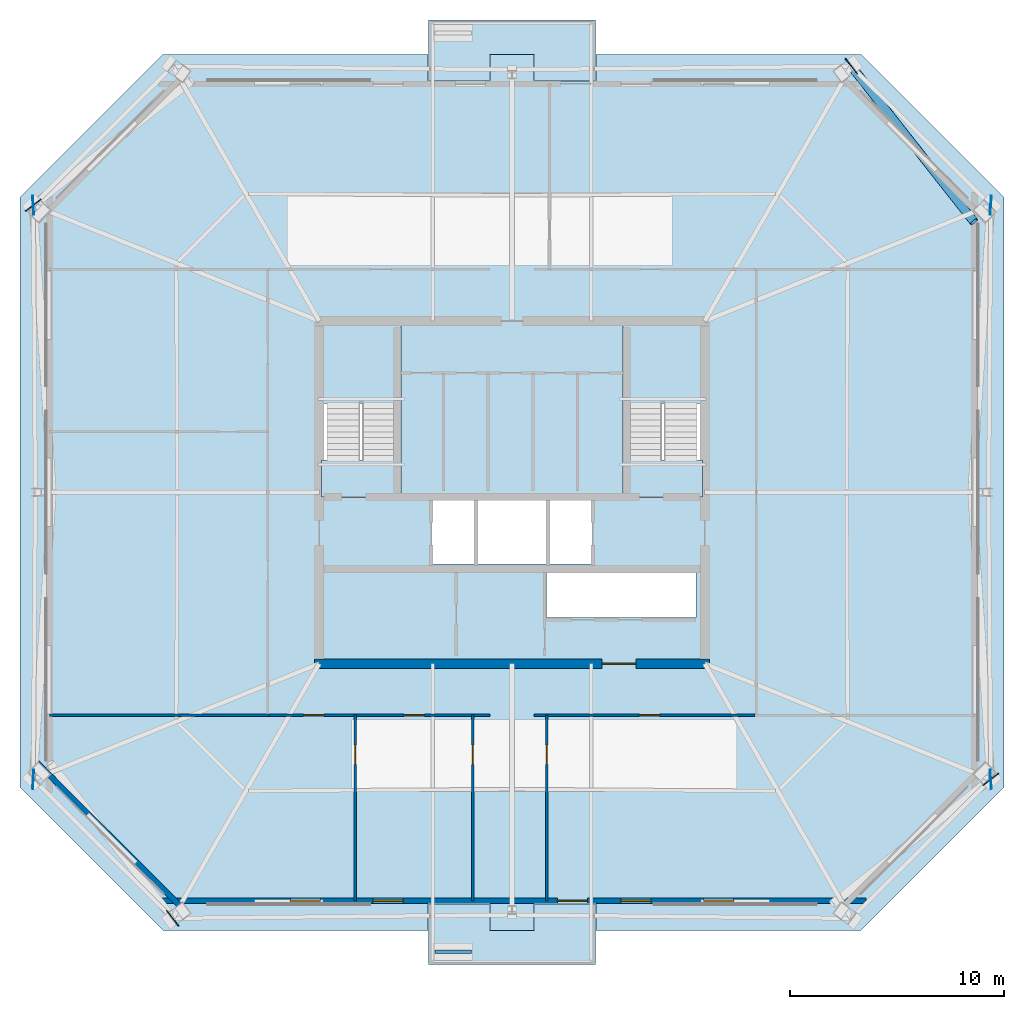
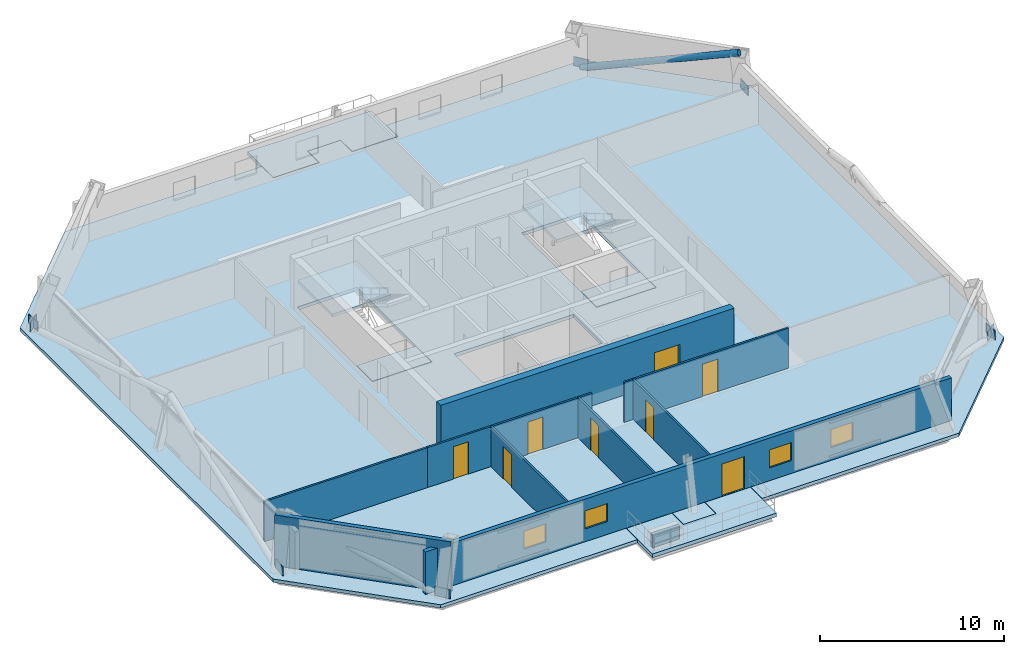
# One storey, part 2 of 6: 10 walls, 8 doors, 8 plates, 7 slabs, 4 windows, 1 member, 12 openings, 2 elements without a shape of their own.
"""IFC4 building model written with IfcOpenShell, lengths in metres."""

from ifc_helpers import new_model, si_unit, direction, frame, frame_2d, origin, origin_2d, place, context, subcontext, project, spatial, polyline, rectangle, hollow_circle, outline, extrude, material, layer, layer_set, material_profile, profile_set, type_object, element, fill, aggregate, save


model = new_model("IFC4")

# Units and contexts
model_context = context("Model", 3, precision=1e-05, world=origin(), true_north=direction((0.0, 1.0)))
body_context = subcontext(model_context, "Body", "Model", "MODEL_VIEW")
ifc_project = project(units=[si_unit("LENGTHUNIT", "METRE"), si_unit("AREAUNIT", "SQUARE_METRE"), si_unit("VOLUMEUNIT", "CUBIC_METRE"), si_unit("PLANEANGLEUNIT", "RADIAN"), si_unit("MASSUNIT", "GRAM", prefix="KILO")], contexts=[model_context])

# Site, building, storey
site_placement = place(None, origin())
site = spatial("IfcSite", under=ifc_project, at=site_placement, CompositionType="ELEMENT")
building_placement = place(site_placement, origin())
building = spatial("IfcBuilding", under=site, at=building_placement, Name="Caelvoria Tower", CompositionType="ELEMENT")
storey_placement = place(building_placement, frame((0.0, 0.0, 195.0)))
storey = spatial("IfcBuildingStorey", under=building, at=storey_placement, Name="L51", CompositionType="ELEMENT", Elevation=195.0)

# Member
ifc_material_1 = material(Name="Structural Steel ASTM A572 Gr.50", Category="steel")
ifc_material_profile = material_profile(ifc_material_1, hollow_circle(Radius=0.202880859375, WallThickness=0.01611328125, at=origin_2d()), Name="Structural Steel ASTM A572 Gr.50")
ifc_profile_set = profile_set([ifc_material_profile], Name="CHS406X16 - Structural Steel ASTM A572 Gr.50")
member_type = type_object("IfcMemberType", Name="Upper Perimeter Mega Brace CHS406X16", PredefinedType="BRACE", material=ifc_profile_set)
member_placement = place(storey_placement, frame((61.851318359375, 51.89697265625, 0.0), z_axis=(0.581785928912, -0.737555459562, 0.342836808103), x_axis=(0.785138815448, 0.619319820834, 0.0)))
element("IfcMember", 1, at=member_placement, inside=storey, type_object=member_type, Name="Perimeter Chamfer Mega Brace L51 NE", PredefinedType="BRACE", context=body_context, shape_type="SweptSolid", body=[
    extrude(hollow_circle(Radius=0.202880859375, WallThickness=0.01611328125, at=origin_2d()), origin(), (0.0, 0.0, 1.0), 9.84423828125),
])

# Plates
ifc_layer_1 = layer(ifc_material_1, 0.0400390625, Name="Structural Steel ASTM A572 Gr.50")
ifc_layer_set_1 = layer_set([ifc_layer_1], Name="Megaframe Node Gusset Plate 900x600x40 - Structural Steel ASTM A572 Gr.50")
plate_type = type_object("IfcPlateType", Name="Megaframe Node Gusset Plate 900x600x40", PredefinedType="USERDEFINED", material=ifc_layer_set_1)
for number, where, z_axis, x_axis, name in (
    (2, (68.362548828125, 18.59033203125, 0.02001953125), (0.0, 0.0, 1.0), (-0.786102917336, -0.618095626385, 0.0), "Chamfer Mega Brace Gusset L51 SE"),
    (3, (61.851318359375, 51.89697265625, 0.02001953125), (0.0, 0.0, 1.0), (0.619322819323, -0.785136450221, 0.0), "Chamfer Mega Brace Gusset L51 NE"),
    (4, (23.637451171875, 45.40966796875, 0.02001953125), (0.0, 0.0, 1.0), (0.786102917336, 0.618095626385, 0.0), "Chamfer Mega Brace Gusset L51 NW"),
    (5, (30.148681640625, 12.10302734375, 0.02001953125), (0.0, 0.0, 1.0), (-0.619322819323, 0.785136450221, 0.0), "Chamfer Mega Brace Gusset L51 SW"),
    (6, (68.362548828125, 18.59033203125, 0.050048828125), (0.0, 0.0, 1.0), (-0.065667848965, 0.997841537326, 0.0), "Megaframe Node Gusset Plate ND-04"),
    (7, (68.362548828125, 45.40966796875, 0.050048828125), (0.0, 0.0, 1.0), (-0.065667848965, -0.997841537326, 0.0), "Megaframe Node Gusset Plate ND-04"),
    (8, (23.637451171875, 45.40966796875, 0.050048828125), (0.0, 0.0, 1.0), (0.065667848965, -0.997841537326, 0.0), "Megaframe Node Gusset Plate ND-04"),
    (9, (23.637451171875, 18.59033203125, 0.050048828125), (0.0, 0.0, 1.0), (0.065667848965, 0.997841537326, 0.0), "Megaframe Node Gusset Plate ND-04"),
):
    element("IfcPlate", number, at=place(storey_placement, frame(where, z_axis=z_axis, x_axis=x_axis)), inside=storey, type_object=plate_type, Name=name, ObjectType="GUSSET_PLATE", PredefinedType="USERDEFINED", context=body_context, shape_type="SweptSolid", body=[
        extrude(rectangle(XDim=0.89990234375, YDim=0.0400390625, at=origin_2d()), origin(), (0.0, 0.0, 1.0), 0.60009765625),
    ])

# Stair, slabs
ifc_material_2 = material(Name="Concrete C40/50", Category="concrete")
stair_type = type_object("IfcStairType", Name="Core Smokeproof Dogleg Stair Concrete C40/50", PredefinedType="HALF_TURN_STAIR", material=ifc_material_2)
stair_1_placement = place(storey_placement, origin())
stair_1 = element("IfcStair", 10, at=stair_1_placement, inside=storey, type_object=stair_type, Name="ST-01 Smokeproof Exit Stair L51", PredefinedType="HALF_TURN_STAIR")
ifc_layer_2 = layer(ifc_material_2, 0.199951171875, Name="Concrete C40/50")
ifc_layer_set_2 = layer_set([ifc_layer_2], Name="Stair Half and Floor Landing Slab 200 Concrete C40/50 - Concrete C40/50")
slab_type_1 = type_object("IfcSlabType", Name="Stair Half and Floor Landing Slab 200 Concrete C40/50", PredefinedType="LANDING", material=ifc_layer_set_2)
slab_1_placement = place(storey_placement, frame((0.0, 0.0, -0.199951171875)))
slab_1 = element("IfcSlab", 11, at=slab_1_placement, type_object=slab_type_1, Name="ST-01 landing 1", PredefinedType="LANDING", context=body_context, shape_type="SweptSolid", body=[
    extrude(outline(polyline([(37.10009765625, 31.77001953125), (40.800048828125, 31.77001953125), (40.800048828125, 33.5), (37.10009765625, 33.5), (37.10009765625, 31.77001953125)])), origin(), (0.0, 0.0, 1.0), 0.199951171875),
])
slab_2_placement = place(storey_placement, frame((0.0, 0.0, 1.60009765625)))
slab_2 = element("IfcSlab", 12, at=slab_2_placement, type_object=slab_type_1, Name="ST-01 landing 2", PredefinedType="LANDING", context=body_context, shape_type="SweptSolid", body=[
    extrude(outline(polyline([(37.10009765625, 36.14990234375), (40.800048828125, 36.14990234375), (40.800048828125, 39.89990234375), (37.10009765625, 39.89990234375), (37.10009765625, 36.14990234375)])), origin(), (0.0, 0.0, 1.0), 0.199951171875),
])
aggregate(stair_1, [slab_1, slab_2])

stair_2_placement = place(storey_placement, origin())
stair_2 = element("IfcStair", 13, at=stair_2_placement, inside=storey, type_object=stair_type, Name="ST-02 Smokeproof Exit Stair L51", PredefinedType="HALF_TURN_STAIR")
slab_3_placement = place(storey_placement, frame((0.0, 0.0, -0.199951171875)))
slab_3 = element("IfcSlab", 14, at=slab_3_placement, type_object=slab_type_1, Name="ST-02 landing 1", PredefinedType="LANDING", context=body_context, shape_type="SweptSolid", body=[
    extrude(outline(polyline([(51.199951171875, 31.77001953125), (54.89990234375, 31.77001953125), (54.89990234375, 33.5), (51.199951171875, 33.5), (51.199951171875, 31.77001953125)])), origin(), (0.0, 0.0, 1.0), 0.199951171875),
])
slab_4_placement = place(storey_placement, frame((0.0, 0.0, 1.60009765625)))
slab_4 = element("IfcSlab", 15, at=slab_4_placement, type_object=slab_type_1, Name="ST-02 landing 2", PredefinedType="LANDING", context=body_context, shape_type="SweptSolid", body=[
    extrude(outline(polyline([(51.199951171875, 36.14990234375), (54.89990234375, 36.14990234375), (54.89990234375, 39.89990234375), (51.199951171875, 39.89990234375), (51.199951171875, 36.14990234375)])), origin(), (0.0, 0.0, 1.0), 0.199951171875),
])
aggregate(stair_2, [slab_3, slab_4])

# Slabs
ifc_material_3 = material(Name="Concrete C45/55", Category="concrete")
ifc_layer_3 = layer(ifc_material_3, 0.25, Name="Concrete C45/55")
ifc_layer_set_3 = layer_set([ifc_layer_3], Name="Tree Balcony Structural Planter Slab 250 - Concrete C45/55")
slab_type_2 = type_object("IfcSlabType", Name="Tree Balcony Structural Planter Slab 250", PredefinedType="FLOOR", material=ifc_layer_set_3)
slab_5_placement = place(storey_placement, frame((0.0, 0.0, -0.25)))
element("IfcSlab", 16, at=slab_5_placement, inside=storey, type_object=slab_type_2, Name="Tree Balcony Slab TB-L51-S", PredefinedType="FLOOR", context=body_context, shape_type="SweptSolid", body=[
    extrude(outline(polyline([(49.89990234375, 11.5400390625), (49.89990234375, 12.780029296875), (47.0400390625, 12.780029296875), (47.0400390625, 11.5400390625), (44.9599609375, 11.5400390625), (44.9599609375, 12.780029296875), (42.10009765625, 12.780029296875), (42.10009765625, 11.5400390625), (42.10009765625, 9.93994140625), (49.89990234375, 9.93994140625), (49.89990234375, 11.5400390625)])), origin(), (0.0, 0.0, 1.0), 0.25),
])
slab_6_placement = place(storey_placement, frame((0.0, 0.0, -0.25)))
element("IfcSlab", 17, at=slab_6_placement, inside=storey, type_object=slab_type_2, Name="Tree Balcony Slab TB-L51-N", PredefinedType="FLOOR", context=body_context, shape_type="SweptSolid", body=[
    extrude(outline(polyline([(42.10009765625, 54.06005859375), (42.10009765625, 52.4599609375), (42.10009765625, 51.219970703125), (44.9599609375, 51.219970703125), (44.9599609375, 52.4599609375), (47.0400390625, 52.4599609375), (47.0400390625, 51.219970703125), (49.89990234375, 51.219970703125), (49.89990234375, 52.4599609375), (49.89990234375, 54.06005859375), (42.10009765625, 54.06005859375)])), origin(), (0.0, 0.0, 1.0), 0.25),
])
ifc_layer_4 = layer(ifc_material_2, 0.22509765625, Name="Concrete C40/50")
ifc_layer_set_4 = layer_set([ifc_layer_4], Name="Upper Tower Composite Office Slab 225 - Concrete C40/50")
slab_type_3 = type_object("IfcSlabType", Name="Upper Tower Composite Office Slab 225", PredefinedType="FLOOR", material=ifc_layer_set_4)
slab_7_placement = place(storey_placement, frame((0.0, 0.0, -0.22509765625)))
element("IfcSlab", 18, at=slab_7_placement, inside=storey, type_object=slab_type_3, Name="Level L51 Structural Floor Slab", PredefinedType="FLOOR", context=body_context, shape_type="SweptSolid", body=[
    extrude(outline(polyline([(23.02001953125, 45.780029296875), (23.02001953125, 18.219970703125), (29.699951171875, 11.5400390625), (42.080078125, 11.5400390625), (42.080078125, 12.800048828125), (44.97998046875, 12.800048828125), (44.97998046875, 11.5400390625), (47.02001953125, 11.5400390625), (47.02001953125, 12.800048828125), (49.919921875, 12.800048828125), (49.919921875, 11.5400390625), (62.300048828125, 11.5400390625), (68.97998046875, 18.219970703125), (68.97998046875, 45.780029296875), (62.300048828125, 52.4599609375), (49.919921875, 52.4599609375), (49.919921875, 51.199951171875), (47.02001953125, 51.199951171875), (47.02001953125, 52.4599609375), (44.97998046875, 52.4599609375), (44.97998046875, 51.199951171875), (42.080078125, 51.199951171875), (42.080078125, 52.4599609375), (29.699951171875, 52.4599609375), (23.02001953125, 45.780029296875)]), holes=[polyline([(37.080078125, 31.75), (40.820068359375, 31.75), (40.820068359375, 39.919921875), (37.080078125, 39.919921875), (37.080078125, 31.75)]), polyline([(51.179931640625, 31.75), (54.919921875, 31.75), (54.919921875, 39.919921875), (51.179931640625, 39.919921875), (51.179931640625, 31.75)]), polyline([(42.25, 28.64990234375), (49.75, 28.64990234375), (49.75, 31.800048828125), (42.25, 31.800048828125), (42.25, 28.64990234375)]), polyline([(47.60009765625, 26.14990234375), (54.60009765625, 26.14990234375), (54.60009765625, 28.25), (47.60009765625, 28.25), (47.60009765625, 26.14990234375)])]), origin(), (0.0, 0.0, 1.0), 0.22509765625),
])

# Wall
ifc_material_4 = material(Name="Bronze-Clad Concrete C40/50", Category="concrete")
ifc_layer_5 = layer(ifc_material_4, 0.179931640625, Name="Bronze-Clad Concrete C40/50")
ifc_layer_set_5 = layer_set([ifc_layer_5], Name="Architectural Planter Kerb Wall 180 - Bronze-Clad Concrete C40/50")
wall_type_1 = type_object("IfcWallType", Name="Architectural Planter Kerb Wall 180", PredefinedType="PARAPET", material=ifc_layer_set_5)
wall_1_placement = place(storey_placement, frame((42.39990234375, 10.5400390625, 0.0), z_axis=(0.0, 0.0, 1.0), x_axis=(1.0, 0.0, 0.0)))
element("IfcWall", 19, at=wall_1_placement, inside=storey, type_object=wall_type_1, Name="Tree Balcony Planter Kerb PLANTER TB-L51-S", PredefinedType="PARAPET", context=body_context, shape_type="SweptSolid", body=[
    extrude(rectangle(XDim=1.7001953125, YDim=0.179931640625, at=frame_2d((0.85009765625, 0.0))), origin(), (0.0, 0.0, 1.0), 0.8798828125),
])

# Wall, opening, door
ifc_material_5 = material(Name="Acoustic Gypsum Board on Light-Gauge Stud", Category="gypsum")
ifc_layer_6 = layer(ifc_material_5, 0.1201171875, Name="Acoustic Gypsum Board on Light-Gauge Stud")
ifc_layer_set_6 = layer_set([ifc_layer_6], Name="Tenant Suite Acoustic Partition Wall 120 - Acoustic Gypsum Board on Light-Gauge Stud")
wall_type_2 = type_object("IfcWallType", Name="Tenant Suite Acoustic Partition Wall 120", PredefinedType="PARTITIONING", material=ifc_layer_set_6)
wall_2_placement = place(storey_placement, frame((38.687255859375, 21.590087890625, 0.0), z_axis=(0.0, 0.0, 1.0), x_axis=(0.0, -1.0, 0.0)))
wall_2 = element("IfcWall", 20, at=wall_2_placement, inside=storey, type_object=wall_type_2, Name="Interior Partition IW-L51-SD-00-0", PredefinedType="PARTITIONING", context=body_context, shape_type="SweptSolid", body=[
    extrude(rectangle(XDim=8.670166015625, YDim=0.1201171875, at=frame_2d((4.3349609375, 0.0))), origin(), (0.0, 0.0, 1.0), 2.655029296875),
])
opening_1_placement = place(wall_2_placement, frame((1.39990234375, 0.0, 0.0)))
opening_1 = element("IfcOpeningElement", 21, at=opening_1_placement, cuts=wall_2, Name="Opening ID-06", PredefinedType="OPENING", context=body_context, shape_type="SweptSolid", body=[
    extrude(rectangle(XDim=0.89990234375, YDim=2.14990234375, at=frame_2d((0.449951171875, 1.074951171875))), frame((0.0, 0.070068359375, 0.0), z_axis=(0.0, -1.0, 0.0), x_axis=(1.0, 0.0, 0.0)), (0.0, 0.0, 1.0), 0.14013671875),
])
ifc_material_6 = material(Name="Engineered Andean Oak Veneer Door", Category="wood")
door_type_1 = type_object("IfcDoorType", Name="Interior Timber Door 900x2150", OperationType="NOTDEFINED", PredefinedType="DOOR", material=ifc_material_6)
door_1_placement = place(opening_1_placement, origin())
door_1 = element("IfcDoor", 22, at=door_1_placement, inside=storey, type_object=door_type_1, Name="Interior Door DR-L51-SM-00-0", OperationType="SINGLE_SWING_RIGHT", OverallHeight=2.14990234375, OverallWidth=0.89990234375, PredefinedType="DOOR", context=body_context, shape_type="SweptSolid", body=[
    extrude(rectangle(XDim=0.89990234375, YDim=2.14990234375, at=frame_2d((0.449951171875, 1.074951171875))), frame((0.0, 0.02490234375, 0.0), z_axis=(0.0, -1.0, 0.0), x_axis=(1.0, 0.0, 0.0)), (0.0, 0.0, 1.0), 0.050048828125),
])
fill(opening_1, door_1)

wall_3_placement = place(storey_placement, frame((44.17578125, 21.590087890625, 0.0), z_axis=(0.0, 0.0, 1.0), x_axis=(0.0, -1.0, 0.0)))
wall_3 = element("IfcWall", 23, at=wall_3_placement, inside=storey, type_object=wall_type_2, Name="Interior Partition IW-L51-SD-01-0", PredefinedType="PARTITIONING", context=body_context, shape_type="SweptSolid", body=[
    extrude(rectangle(XDim=8.670166015625, YDim=0.1201171875, at=frame_2d((4.3349609375, 0.0))), origin(), (0.0, 0.0, 1.0), 2.655029296875),
])
opening_2_placement = place(wall_3_placement, frame((1.39990234375, 0.0, 0.0)))
opening_2 = element("IfcOpeningElement", 24, at=opening_2_placement, cuts=wall_3, Name="Opening ID-06", PredefinedType="OPENING", context=body_context, shape_type="SweptSolid", body=[
    extrude(rectangle(XDim=0.89990234375, YDim=2.14990234375, at=frame_2d((0.449951171875, 1.074951171875))), frame((0.0, 0.070068359375, 0.0), z_axis=(0.0, -1.0, 0.0), x_axis=(1.0, 0.0, 0.0)), (0.0, 0.0, 1.0), 0.14013671875),
])
door_2_placement = place(opening_2_placement, origin())
door_2 = element("IfcDoor", 25, at=door_2_placement, inside=storey, type_object=door_type_1, Name="Interior Door DR-L51-SM-01-0", OperationType="SINGLE_SWING_LEFT", OverallHeight=2.14990234375, OverallWidth=0.89990234375, PredefinedType="DOOR", context=body_context, shape_type="SweptSolid", body=[
    extrude(rectangle(XDim=0.89990234375, YDim=2.14990234375, at=frame_2d((0.449951171875, 1.074951171875))), frame((0.0, 0.02490234375, 0.0), z_axis=(0.0, -1.0, 0.0), x_axis=(1.0, 0.0, 0.0)), (0.0, 0.0, 1.0), 0.050048828125),
])
fill(opening_2, door_2)

wall_4_placement = place(storey_placement, frame((47.628662109375, 21.590087890625, 0.0), z_axis=(0.0, 0.0, 1.0), x_axis=(0.0, -1.0, 0.0)))
wall_4 = element("IfcWall", 26, at=wall_4_placement, inside=storey, type_object=wall_type_2, Name="Interior Partition IW-L51-SD-02-0", PredefinedType="PARTITIONING", context=body_context, shape_type="SweptSolid", body=[
    extrude(rectangle(XDim=8.670166015625, YDim=0.1201171875, at=frame_2d((4.3349609375, 0.0))), origin(), (0.0, 0.0, 1.0), 2.655029296875),
])
opening_3_placement = place(wall_4_placement, frame((1.39990234375, 0.0, 0.0)))
opening_3 = element("IfcOpeningElement", 27, at=opening_3_placement, cuts=wall_4, Name="Opening ID-06", PredefinedType="OPENING", context=body_context, shape_type="SweptSolid", body=[
    extrude(rectangle(XDim=0.89990234375, YDim=2.14990234375, at=frame_2d((0.449951171875, 1.074951171875))), frame((0.0, 0.070068359375, 0.0), z_axis=(0.0, -1.0, 0.0), x_axis=(1.0, 0.0, 0.0)), (0.0, 0.0, 1.0), 0.14013671875),
])
door_3_placement = place(opening_3_placement, origin())
door_3 = element("IfcDoor", 28, at=door_3_placement, inside=storey, type_object=door_type_1, Name="Interior Door DR-L51-SM-02-0", OperationType="SINGLE_SWING_RIGHT", OverallHeight=2.14990234375, OverallWidth=0.89990234375, PredefinedType="DOOR", context=body_context, shape_type="SweptSolid", body=[
    extrude(rectangle(XDim=0.89990234375, YDim=2.14990234375, at=frame_2d((0.449951171875, 1.074951171875))), frame((0.0, 0.02490234375, 0.0), z_axis=(0.0, -1.0, 0.0), x_axis=(1.0, 0.0, 0.0)), (0.0, 0.0, 1.0), 0.050048828125),
])
fill(opening_3, door_3)

# Wall, openings, doors
wall_5_placement = place(storey_placement, frame((34.64990234375, 21.590087890625, 0.0), z_axis=(0.0, 0.0, 1.0), x_axis=(1.0, 0.0, 0.0)))
wall_5 = element("IfcWall", 29, at=wall_5_placement, inside=storey, type_object=wall_type_2, Name="Interior Partition IW-L51-SCW-0", PredefinedType="PARTITIONING", context=body_context, shape_type="SweptSolid", body=[
    extrude(rectangle(XDim=10.330078125, YDim=0.1201171875, at=frame_2d((5.1650390625, 0.0))), origin(), (0.0, 0.0, 1.0), 2.655029296875),
])
opening_4_placement = place(wall_5_placement, frame((1.613525390625, 0.0, 0.0)))
opening_4 = element("IfcOpeningElement", 30, at=opening_4_placement, cuts=wall_5, Name="Opening ID-05", PredefinedType="OPENING", context=body_context, shape_type="SweptSolid", body=[
    extrude(rectangle(XDim=0.949951171875, YDim=2.14990234375, at=frame_2d((0.47509765625, 1.074951171875))), frame((0.0, 0.070068359375, 0.0), z_axis=(0.0, -1.0, 0.0), x_axis=(1.0, 0.0, 0.0)), (0.0, 0.0, 1.0), 0.14013671875),
])
opening_5_placement = place(wall_5_placement, frame((6.306396484375, 0.0, 0.0)))
opening_5 = element("IfcOpeningElement", 31, at=opening_5_placement, cuts=wall_5, Name="Opening ID-05", PredefinedType="OPENING", context=body_context, shape_type="SweptSolid", body=[
    extrude(rectangle(XDim=0.949951171875, YDim=2.14990234375, at=frame_2d((0.47509765625, 1.074951171875))), frame((0.0, 0.070068359375, 0.0), z_axis=(0.0, -1.0, 0.0), x_axis=(1.0, 0.0, 0.0)), (0.0, 0.0, 1.0), 0.14013671875),
])
door_type_2 = type_object("IfcDoorType", Name="Interior Timber Door 950x2150", OperationType="NOTDEFINED", PredefinedType="DOOR", material=ifc_material_6)
door_4_placement = place(opening_4_placement, origin())
door_4 = element("IfcDoor", 32, at=door_4_placement, inside=storey, type_object=door_type_2, Name="Interior Door DR-L51-SC-00-0", OperationType="SINGLE_SWING_RIGHT", OverallHeight=2.14990234375, OverallWidth=0.949951171875, PredefinedType="DOOR", context=body_context, shape_type="SweptSolid", body=[
    extrude(rectangle(XDim=0.949951171875, YDim=2.14990234375, at=frame_2d((0.47509765625, 1.074951171875))), frame((0.0, 0.02490234375, 0.0), z_axis=(0.0, -1.0, 0.0), x_axis=(1.0, 0.0, 0.0)), (0.0, 0.0, 1.0), 0.050048828125),
])
fill(opening_4, door_4)
door_5_placement = place(opening_5_placement, origin())
door_5 = element("IfcDoor", 33, at=door_5_placement, inside=storey, type_object=door_type_2, Name="Interior Door DR-L51-SC-01-0", OperationType="SINGLE_SWING_LEFT", OverallHeight=2.14990234375, OverallWidth=0.949951171875, PredefinedType="DOOR", context=body_context, shape_type="SweptSolid", body=[
    extrude(rectangle(XDim=0.949951171875, YDim=2.14990234375, at=frame_2d((0.47509765625, 1.074951171875))), frame((0.0, 0.02490234375, 0.0), z_axis=(0.0, -1.0, 0.0), x_axis=(1.0, 0.0, 0.0)), (0.0, 0.0, 1.0), 0.050048828125),
])
fill(opening_5, door_5)

# Wall, opening, door
wall_6_placement = place(storey_placement, frame((47.02001953125, 21.590087890625, 0.0), z_axis=(0.0, 0.0, 1.0), x_axis=(1.0, 0.0, 0.0)))
wall_6 = element("IfcWall", 34, at=wall_6_placement, inside=storey, type_object=wall_type_2, Name="Interior Partition IW-L51-SCW-1", PredefinedType="PARTITIONING", context=body_context, shape_type="SweptSolid", body=[
    extrude(rectangle(XDim=10.330078125, YDim=0.1201171875, at=frame_2d((5.1650390625, 0.0))), origin(), (0.0, 0.0, 1.0), 2.655029296875),
])
opening_6_placement = place(wall_6_placement, frame((4.92431640625, 0.0, 0.0)))
opening_6 = element("IfcOpeningElement", 35, at=opening_6_placement, cuts=wall_6, Name="Opening ID-05", PredefinedType="OPENING", context=body_context, shape_type="SweptSolid", body=[
    extrude(rectangle(XDim=0.949951171875, YDim=2.14990234375, at=frame_2d((0.47509765625, 1.074951171875))), frame((0.0, 0.070068359375, 0.0), z_axis=(0.0, -1.0, 0.0), x_axis=(1.0, 0.0, 0.0)), (0.0, 0.0, 1.0), 0.14013671875),
])
door_6_placement = place(opening_6_placement, origin())
door_6 = element("IfcDoor", 36, at=door_6_placement, inside=storey, type_object=door_type_2, Name="Interior Door DR-L51-SC-03-0", OperationType="SINGLE_SWING_LEFT", OverallHeight=2.14990234375, OverallWidth=0.949951171875, PredefinedType="DOOR", context=body_context, shape_type="SweptSolid", body=[
    extrude(rectangle(XDim=0.949951171875, YDim=2.14990234375, at=frame_2d((0.47509765625, 1.074951171875))), frame((0.0, 0.02490234375, 0.0), z_axis=(0.0, -1.0, 0.0), x_axis=(1.0, 0.0, 0.0)), (0.0, 0.0, 1.0), 0.050048828125),
])
fill(opening_6, door_6)

# Wall
wall_7_placement = place(storey_placement, frame((34.64990234375, 21.590087890625, 0.0), z_axis=(0.0, 0.0, 1.0), x_axis=(-1.0, 0.0, 0.0)))
element("IfcWall", 37, at=wall_7_placement, inside=storey, type_object=wall_type_2, Name="Interior Partition IW-L51-BSW-0", PredefinedType="PARTITIONING", context=body_context, shape_type="SweptSolid", body=[
    extrude(rectangle(XDim=10.25, YDim=0.1201171875, at=frame_2d((5.125, 0.0))), origin(), (0.0, 0.0, 1.0), 2.655029296875),
])

# Wall, opening, door
ifc_material_7 = material(Name="Concrete C50/60", Category="concrete")
ifc_layer_7 = layer(ifc_material_7, 0.449951171875, Name="Concrete C50/60")
ifc_layer_set_7 = layer_set([ifc_layer_7], Name="Upper Core Shear Wall 450 - Concrete C50/60")
wall_type_3 = type_object("IfcWallType", Name="Upper Core Shear Wall 450", PredefinedType="SHEAR", material=ifc_layer_set_7)
wall_8_placement = place(storey_placement, frame((36.77490234375, 24.0, 0.0), z_axis=(0.0, 0.0, 1.0), x_axis=(1.0, 0.0, 0.0)))
wall_8 = element("IfcWall", 38, at=wall_8_placement, inside=storey, type_object=wall_type_3, Name="Core Shear Wall L51 S", PredefinedType="SHEAR", context=body_context, shape_type="SweptSolid", body=[
    extrude(rectangle(XDim=18.4501953125, YDim=0.449951171875, at=frame_2d((9.22509765625, 0.0))), origin(), (0.0, 0.0, 1.0), 3.360107421875),
])
opening_7_placement = place(wall_8_placement, frame((13.425048828125, 0.0, 0.0)))
opening_7 = element("IfcOpeningElement", 39, at=opening_7_placement, cuts=wall_8, Name="Opening ID-08", PredefinedType="OPENING", context=body_context, shape_type="SweptSolid", body=[
    extrude(rectangle(XDim=1.60009765625, YDim=2.14990234375, at=frame_2d((0.800048828125, 1.074951171875))), frame((0.0, 0.23486328125, 0.0), z_axis=(0.0, -1.0, 0.0), x_axis=(1.0, 0.0, 0.0)), (0.0, 0.0, 1.0), 0.469970703125),
])
ifc_material_8 = material(Name="Bronze-Framed Fire-Rated Glazed Double Door", Category="aluminium")
door_type_3 = type_object("IfcDoorType", Name="Double Lobby Glazed Door 1600x2200", OperationType="NOTDEFINED", PredefinedType="DOOR", material=ifc_material_8)
door_7_placement = place(opening_7_placement, origin())
door_7 = element("IfcDoor", 40, at=door_7_placement, inside=storey, type_object=door_type_3, Name="Core Door DR-L51-LLOB-S2", OperationType="DOUBLE_DOOR_SINGLE_SWING", OverallHeight=2.14990234375, OverallWidth=1.60009765625, PredefinedType="DOOR", context=body_context, shape_type="SweptSolid", body=[
    extrude(rectangle(XDim=1.60009765625, YDim=2.14990234375, at=frame_2d((0.800048828125, 1.074951171875))), frame((0.0, 0.02490234375, 0.0), z_axis=(0.0, -1.0, 0.0), x_axis=(1.0, 0.0, 0.0)), (0.0, 0.0, 1.0), 0.050048828125),
])
fill(opening_7, door_7)

# Wall, openings, windows, door
ifc_material_9 = material(Name="Precast Concrete C40/50 with Bronze Cladding", Category="concrete")
ifc_layer_8 = layer(ifc_material_9, 0.264892578125, Name="Precast Concrete C40/50 with Bronze Cladding")
ifc_layer_set_8 = layer_set([ifc_layer_8], Name="Upper Taper Precast Concrete C40/50 Bronze Facade Wall 265 - Precast Concrete C40/50 with Bronze Cladding")
wall_type_4 = type_object("IfcWallType", Name="Upper Taper Precast Concrete C40/50 Bronze Facade Wall 265", PredefinedType="STANDARD", material=ifc_layer_set_8)
wall_9_placement = place(storey_placement, frame((29.4599609375, 12.919921875, 0.0), z_axis=(0.0, 0.0, 1.0), x_axis=(1.0, 0.0, 0.0)))
wall_9 = element("IfcWall", 41, at=wall_9_placement, inside=storey, type_object=wall_type_4, Name="Exterior Facade Wall L51-E0", PredefinedType="STANDARD", context=body_context, shape_type="SweptSolid", body=[
    extrude(rectangle(XDim=33.080078125, YDim=0.264892578125, at=frame_2d((16.5400390625, 0.0))), origin(), (0.0, 0.0, 1.0), 2.83203125),
])
opening_8_placement = place(wall_9_placement, frame((18.6650390625, 0.0, 0.0)))
opening_8 = element("IfcOpeningElement", 42, at=opening_8_placement, cuts=wall_9, Name="Opening ED-04", PredefinedType="OPENING", context=body_context, shape_type="SweptSolid", body=[
    extrude(rectangle(XDim=1.39990234375, YDim=2.14990234375, at=frame_2d((0.699951171875, 1.074951171875))), frame((0.0, 0.142333984375, 0.0), z_axis=(0.0, -1.0, 0.0), x_axis=(1.0, 0.0, 0.0)), (0.0, 0.0, 1.0), 0.284912109375),
])
opening_9_placement = place(wall_9_placement, frame((6.18994140625, 0.0, 0.85009765625)))
opening_9 = element("IfcOpeningElement", 43, at=opening_9_placement, cuts=wall_9, Name="Opening WN-06", PredefinedType="OPENING", context=body_context, shape_type="SweptSolid", body=[
    extrude(rectangle(XDim=1.39990234375, YDim=1.199951171875, at=frame_2d((0.699951171875, 0.60009765625))), frame((0.0, 0.142333984375, 0.0), z_axis=(0.0, -1.0, 0.0), x_axis=(1.0, 0.0, 0.0)), (0.0, 0.0, 1.0), 0.284912109375),
])
opening_10_placement = place(wall_9_placement, frame((10.050048828125, 0.0, 0.85009765625)))
opening_10 = element("IfcOpeningElement", 44, at=opening_10_placement, cuts=wall_9, Name="Opening WN-06", PredefinedType="OPENING", context=body_context, shape_type="SweptSolid", body=[
    extrude(rectangle(XDim=1.39990234375, YDim=1.199951171875, at=frame_2d((0.699951171875, 0.60009765625))), frame((0.0, 0.142333984375, 0.0), z_axis=(0.0, -1.0, 0.0), x_axis=(1.0, 0.0, 0.0)), (0.0, 0.0, 1.0), 0.284912109375),
])
opening_11_placement = place(wall_9_placement, frame((21.6298828125, 0.0, 0.85009765625)))
opening_11 = element("IfcOpeningElement", 45, at=opening_11_placement, cuts=wall_9, Name="Opening WN-06", PredefinedType="OPENING", context=body_context, shape_type="SweptSolid", body=[
    extrude(rectangle(XDim=1.39990234375, YDim=1.199951171875, at=frame_2d((0.699951171875, 0.60009765625))), frame((0.0, 0.142333984375, 0.0), z_axis=(0.0, -1.0, 0.0), x_axis=(1.0, 0.0, 0.0)), (0.0, 0.0, 1.0), 0.284912109375),
])
opening_12_placement = place(wall_9_placement, frame((25.489990234375, 0.0, 0.85009765625)))
opening_12 = element("IfcOpeningElement", 46, at=opening_12_placement, cuts=wall_9, Name="Opening WN-06", PredefinedType="OPENING", context=body_context, shape_type="SweptSolid", body=[
    extrude(rectangle(XDim=1.39990234375, YDim=1.199951171875, at=frame_2d((0.699951171875, 0.60009765625))), frame((0.0, 0.142333984375, 0.0), z_axis=(0.0, -1.0, 0.0), x_axis=(1.0, 0.0, 0.0)), (0.0, 0.0, 1.0), 0.284912109375),
])
ifc_material_10 = material(Name="Low-E Tinted Glass in Bronze Aluminium Frame", Category="aluminium")
window_type = type_object("IfcWindowType", Name="Podium Clerestory Window 1400x1200", PartitioningType="SINGLE_PANEL", PredefinedType="WINDOW", material=ifc_material_10)
window_1_placement = place(opening_9_placement, origin())
window_1 = element("IfcWindow", 47, at=window_1_placement, inside=storey, type_object=window_type, Name="Facade Window L51-E0-01", OverallHeight=1.199951171875, OverallWidth=1.39990234375, PartitioningType="SINGLE_PANEL", PredefinedType="WINDOW", context=body_context, shape_type="SweptSolid", body=[
    extrude(rectangle(XDim=1.39990234375, YDim=1.199951171875, at=frame_2d((0.699951171875, 0.60009765625))), frame((0.0, 0.030029296875, 0.0), z_axis=(0.0, -1.0, 0.0), x_axis=(1.0, 0.0, 0.0)), (0.0, 0.0, 1.0), 0.06005859375),
])
fill(opening_9, window_1)
window_2_placement = place(opening_10_placement, origin())
window_2 = element("IfcWindow", 48, at=window_2_placement, inside=storey, type_object=window_type, Name="Facade Window L51-E0-02", OverallHeight=1.199951171875, OverallWidth=1.39990234375, PartitioningType="SINGLE_PANEL", PredefinedType="WINDOW", context=body_context, shape_type="SweptSolid", body=[
    extrude(rectangle(XDim=1.39990234375, YDim=1.199951171875, at=frame_2d((0.699951171875, 0.60009765625))), frame((0.0, 0.030029296875, 0.0), z_axis=(0.0, -1.0, 0.0), x_axis=(1.0, 0.0, 0.0)), (0.0, 0.0, 1.0), 0.06005859375),
])
fill(opening_10, window_2)
window_3_placement = place(opening_11_placement, origin())
window_3 = element("IfcWindow", 49, at=window_3_placement, inside=storey, type_object=window_type, Name="Facade Window L51-E0-05", OverallHeight=1.199951171875, OverallWidth=1.39990234375, PartitioningType="SINGLE_PANEL", PredefinedType="WINDOW", context=body_context, shape_type="SweptSolid", body=[
    extrude(rectangle(XDim=1.39990234375, YDim=1.199951171875, at=frame_2d((0.699951171875, 0.60009765625))), frame((0.0, 0.030029296875, 0.0), z_axis=(0.0, -1.0, 0.0), x_axis=(1.0, 0.0, 0.0)), (0.0, 0.0, 1.0), 0.06005859375),
])
fill(opening_11, window_3)
window_4_placement = place(opening_12_placement, origin())
window_4 = element("IfcWindow", 50, at=window_4_placement, inside=storey, type_object=window_type, Name="Facade Window L51-E0-06", OverallHeight=1.199951171875, OverallWidth=1.39990234375, PartitioningType="SINGLE_PANEL", PredefinedType="WINDOW", context=body_context, shape_type="SweptSolid", body=[
    extrude(rectangle(XDim=1.39990234375, YDim=1.199951171875, at=frame_2d((0.699951171875, 0.60009765625))), frame((0.0, 0.030029296875, 0.0), z_axis=(0.0, -1.0, 0.0), x_axis=(1.0, 0.0, 0.0)), (0.0, 0.0, 1.0), 0.06005859375),
])
fill(opening_12, window_4)
ifc_material_11 = material(Name="Anodised Bronze Aluminium and Laminated Glass", Category="aluminium")
door_type_4 = type_object("IfcDoorType", Name="Tree Balcony Glazed Door 1400x2150", OperationType="NOTDEFINED", PredefinedType="DOOR", material=ifc_material_11)
door_8_placement = place(opening_8_placement, origin())
door_8 = element("IfcDoor", 51, at=door_8_placement, inside=storey, type_object=door_type_4, Name="Tree Balcony Door L51-S", OperationType="SINGLE_SWING_RIGHT", OverallHeight=2.14990234375, OverallWidth=1.39990234375, PredefinedType="DOOR", context=body_context, shape_type="SweptSolid", body=[
    extrude(rectangle(XDim=1.39990234375, YDim=2.14990234375, at=frame_2d((0.699951171875, 1.074951171875))), frame((0.0, 0.02490234375, 0.0), z_axis=(0.0, -1.0, 0.0), x_axis=(1.0, 0.0, 0.0)), (0.0, 0.0, 1.0), 0.050048828125),
])
fill(opening_8, door_8)

# Wall
wall_10_placement = place(storey_placement, frame((23.826171875, 19.365478515625, 0.0), z_axis=(0.0, 0.0, 1.0), x_axis=(0.707106781187, -0.707106781187, 0.0)))
element("IfcWall", 52, at=wall_10_placement, inside=storey, type_object=wall_type_4, Name="Exterior Facade Wall L51-E7", PredefinedType="STANDARD", context=body_context, shape_type="SweptSolid", body=[
    extrude(rectangle(XDim=9.9267578125, YDim=0.264892578125, at=frame_2d((4.96337890625, 0.0))), origin(), (0.0, 0.0, 1.0), 3.375),
])

save(model, "model.ifc")
